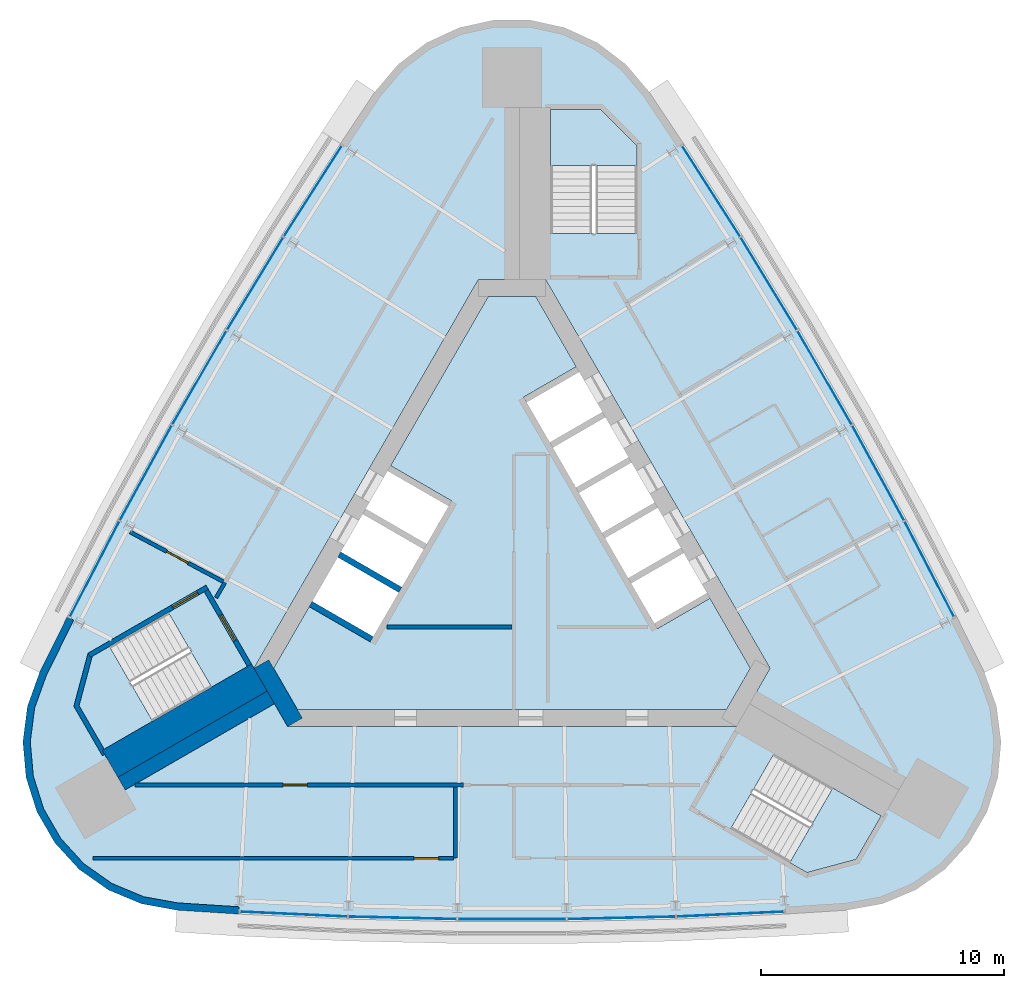
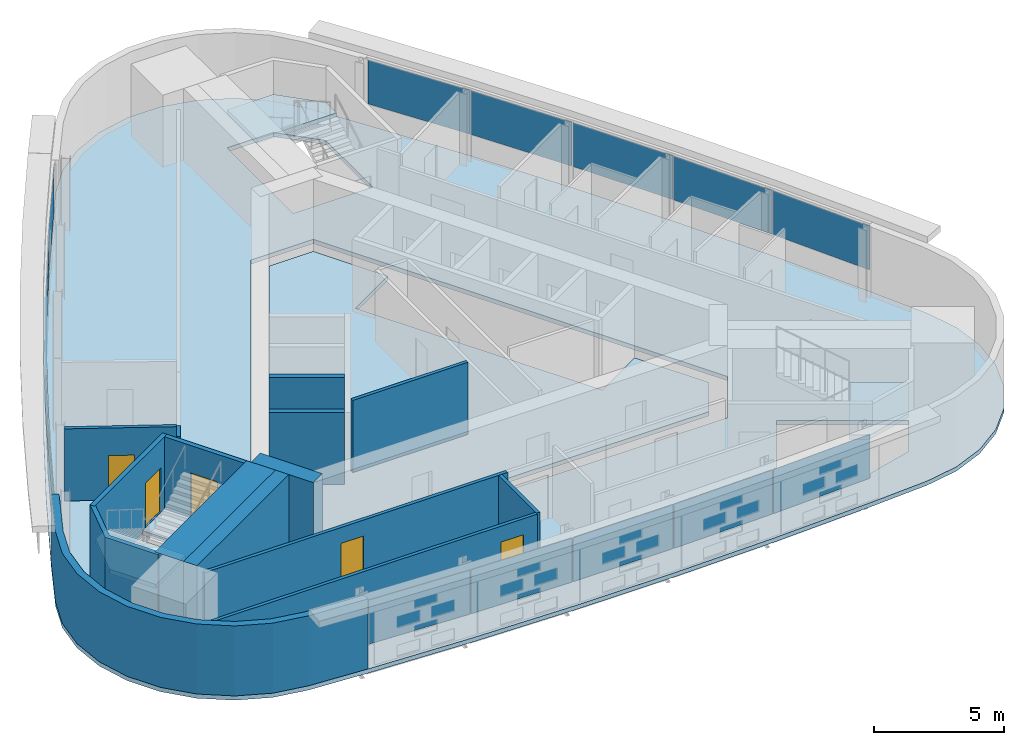
# One storey, part 5 of 10: 15 plates, 15 walls, 5 doors, 5 slabs, 5 openings, 6 elements without a shape of their own.
"""IFC4 building model written with IfcOpenShell, lengths in metres."""

from ifc_helpers import new_model, si_unit, direction, frame, frame_2d, origin, origin_2d, place, context, subcontext, project, spatial, polyline, rectangle, outline, extrude, material, layer, layer_set, type_object, element, fill, aggregate, save


model = new_model("IFC4")

# Units and contexts
model_context = context("Model", 3, precision=1e-05, world=origin(), true_north=direction((0.0, 1.0)))
body_context = subcontext(model_context, "Body", "Model", "MODEL_VIEW")
ifc_project = project(units=[si_unit("LENGTHUNIT", "METRE"), si_unit("AREAUNIT", "SQUARE_METRE"), si_unit("VOLUMEUNIT", "CUBIC_METRE"), si_unit("PLANEANGLEUNIT", "RADIAN"), si_unit("MASSUNIT", "GRAM", prefix="KILO")], contexts=[model_context])

# Site, building, storey
site_placement = place(None, origin())
site = spatial("IfcSite", under=ifc_project, at=site_placement, CompositionType="ELEMENT")
building_placement = place(site_placement, origin())
building = spatial("IfcBuilding", under=site, at=building_placement, Name="Noor Cloister Tower", CompositionType="ELEMENT")
storey_placement = place(building_placement, frame((0.0, 0.0, 243.60009765625)))
storey = spatial("IfcBuildingStorey", under=building, at=storey_placement, Name="L63", CompositionType="ELEMENT", Elevation=243.60009765625)

# Slabs
ifc_material_1 = material(Name="Concrete C40/50", Category="concrete")
ifc_layer_1 = layer(ifc_material_1, 0.199951171875)
ifc_layer_set_1 = layer_set([ifc_layer_1], Name="Core floor slab 200 C40/50")
slab_type_1 = type_object("IfcSlabType", Name="Core floor slab 200 C40/50", PredefinedType="FLOOR", material=ifc_layer_set_1)
slab_1_placement = place(storey_placement, frame((0.0, 0.0, -0.2001953125)))
element("IfcSlab", 1, at=slab_1_placement, inside=storey, type_object=slab_type_1, Name="Core floor L63", PredefinedType="FLOOR", context=body_context, shape_type="SweptSolid", body=[
    extrude(outline(polyline([(2.643798828125, 7.877197265625), (0.9814453125, 10.75634765625), (-0.9814453125, 10.75634765625), (-4.993896484375, 3.806884765625), (-2.482421875, 2.35693359375), (-5.832275390625, -3.4453125), (-8.34375, -1.995361328125), (-9.80615234375, -4.5283203125), (-8.82470703125, -6.228271484375), (8.82470703125, -6.228271484375), (9.80615234375, -4.5283203125), (8.143798828125, -1.64892578125), (5.978759765625, -2.89892578125), (0.478759765625, 6.627197265625), (2.643798828125, 7.877197265625)])), origin(), (0.0, 0.0, 1.0), 0.2001953125),
])
ifc_material_2 = material(Name="Concrete C40/50", Category="concrete")
ifc_layer_2 = layer(ifc_material_2, 0.199951171875)
ifc_layer_set_2 = layer_set([ifc_layer_2], Name="Floor slab 200 C40/50")
slab_type_2 = type_object("IfcSlabType", Name="Floor slab 200 C40/50", PredefinedType="FLOOR", material=ifc_layer_set_2)
slab_2_placement = place(storey_placement, frame((0.0, 0.0, -0.2001953125)))
element("IfcSlab", 2, at=slab_2_placement, inside=storey, type_object=slab_type_2, Name="Floor slab L63", PredefinedType="FLOOR", context=body_context, shape_type="SweptSolid", body=[
    extrude(outline(polyline([(5.643798828125, 19.180419921875), (4.690673828125, 20.306640625), (3.51708984375, 21.200927734375), (2.178466796875, 21.821533203125), (0.73779296875, 22.139404296875), (-0.73779296875, 22.139404296875), (-2.178466796875, 21.821533203125), (-3.51708984375, 21.200927734375), (-4.690673828125, 20.306640625), (-5.643798828125, 19.180419921875), (-7.05712890625, 17.0576171875), (-9.4833984375, 13.267822265625), (-11.822021484375, 9.423583984375), (-14.072021484375, 5.5263671875), (-16.232177734375, 1.578857421875), (-18.301025390625, -2.417236328125), (-19.4326171875, -4.702392578125), (-19.931396484375, -6.091064453125), (-20.119140625, -7.5546875), (-19.9873046875, -9.024169921875), (-19.542236328125, -10.430908203125), (-18.804443359375, -11.70849609375), (-17.808837890625, -12.797607421875), (-16.60205078125, -13.646484375), (-15.24072265625, -14.21533203125), (-13.788818359375, -14.47802734375), (-11.243896484375, -14.640625), (-6.748779296875, -14.846923828125), (-2.25, -14.949951171875), (2.25, -14.949951171875), (6.748779296875, -14.846923828125), (11.243896484375, -14.640625), (13.788818359375, -14.47802734375), (15.24072265625, -14.21533203125), (16.60205078125, -13.646484375), (17.808837890625, -12.797607421875), (18.804443359375, -11.70849609375), (19.542236328125, -10.430908203125), (19.9873046875, -9.024169921875), (20.119140625, -7.5546875), (19.931396484375, -6.091064453125), (19.4326171875, -4.702392578125), (18.301025390625, -2.417236328125), (16.232177734375, 1.578857421875), (14.072021484375, 5.5263671875), (11.822021484375, 9.423583984375), (9.4833984375, 13.267822265625), (7.05712890625, 17.0576171875), (5.643798828125, 19.180419921875)]), holes=[polyline([(8.999755859375, -11.126220703125), (12.131591796875, -12.934326171875), (14.1572265625, -12.3916015625), (15.19091796875, -10.601318359375), (10.774658203125, -8.0517578125), (8.999755859375, -11.126220703125)]), polyline([(-17.81005859375, -6.064697265625), (-16.776611328125, -7.85498046875), (-12.3603515625, -5.305419921875), (-14.13525390625, -2.23095703125), (-16.662841796875, -3.690185546875), (-17.267333984375, -4.039306640625), (-17.81005859375, -6.064697265625)]), polyline([(-10.6142578125, -4.5283203125), (-9.228759765625, -6.92822265625), (9.228759765625, -6.92822265625), (10.6142578125, -4.5283203125), (1.3857421875, 11.456298828125), (-1.3857421875, 11.456298828125), (-10.6142578125, -4.5283203125)]), polyline([(3.65283203125, 18.456298828125), (1.585693359375, 18.456298828125), (1.585693359375, 13.35693359375), (5.135498046875, 13.35693359375), (5.135498046875, 16.9736328125), (3.65283203125, 18.456298828125)])]), origin(), (0.0, 0.0, 1.0), 0.2001953125),
])

# Curtain wall, plates
ifc_material_3 = material(Name="Aluminium 6063-T6 anodised", Category="aluminium")
curtain_wall_type = type_object("IfcCurtainWallType", Name="Ribbon curtain wall, upper tower CW5", PredefinedType="NOTDEFINED", material=ifc_material_3)
curtain_wall_1_placement = place(storey_placement, origin())
curtain_wall_1 = element("IfcCurtainWall", 3, at=curtain_wall_1_placement, inside=storey, type_object=curtain_wall_type, Name="CW5 L63 NW run 1", PredefinedType="NOTDEFINED")
ifc_material_4 = material(Name="Clear laminated glass 2 x 8 mm", Category="glass")
ifc_layer_3 = layer(ifc_material_4, 0.028076171875)
ifc_layer_set_3 = layer_set([ifc_layer_3], Name="Glass panel CW5")
plate_type = type_object("IfcPlateType", Name="Glass panel CW5", PredefinedType="CURTAIN_PANEL", material=ifc_layer_set_3)
plate_1_placement = place(storey_placement, frame((-8.195068359375, 15.0947265625, 1.08984375), z_axis=(0.0, 0.0, 1.0), x_axis=(-0.539170940617, -0.842196352874, 0.0)))
plate_1 = element("IfcPlate", 4, at=plate_1_placement, type_object=plate_type, Name="CW5 glass panel 1", PredefinedType="CURTAIN_PANEL", context=body_context, shape_type="SweptSolid", body=[
    extrude(rectangle(XDim=4.413818359375, YDim=0.028076171875, at=origin_2d()), origin(), (0.0, 0.0, 1.0), 2.070068359375),
])
plate_2_placement = place(storey_placement, frame((-10.5673828125, 11.293701171875, 1.08984375), z_axis=(0.0, 0.0, 1.0), x_axis=(-0.519722064783, -0.854335399816, 0.0)))
plate_2 = element("IfcPlate", 5, at=plate_2_placement, type_object=plate_type, Name="CW5 glass panel 2", PredefinedType="CURTAIN_PANEL", context=body_context, shape_type="SweptSolid", body=[
    extrude(rectangle(XDim=4.447509765625, YDim=0.028076171875, at=origin_2d()), origin(), (0.0, 0.0, 1.0), 2.070068359375),
])
plate_3_placement = place(storey_placement, frame((-12.8603515625, 7.425048828125, 1.08984375), z_axis=(0.0, 0.0, 1.0), x_axis=(-0.5, -0.866025403784, 0.0)))
plate_3 = element("IfcPlate", 6, at=plate_3_placement, type_object=plate_type, Name="CW5 glass panel 3", PredefinedType="CURTAIN_PANEL", context=body_context, shape_type="SweptSolid", body=[
    extrude(rectangle(XDim=4.447509765625, YDim=0.028076171875, at=origin_2d()), origin(), (0.0, 0.0, 1.0), 2.070068359375),
])
plate_4_placement = place(storey_placement, frame((-15.064208984375, 3.504638671875, 1.08984375), z_axis=(0.0, 0.0, 1.0), x_axis=(-0.480015127201, -0.877260210917, 0.0)))
plate_4 = element("IfcPlate", 7, at=plate_4_placement, type_object=plate_type, Name="CW5 glass panel 4", PredefinedType="CURTAIN_PANEL", context=body_context, shape_type="SweptSolid", body=[
    extrude(rectangle(XDim=4.447509765625, YDim=0.028076171875, at=origin_2d()), origin(), (0.0, 0.0, 1.0), 2.070068359375),
])
plate_5_placement = place(storey_placement, frame((-17.169921875, -0.4501953125, 1.08984375), z_axis=(0.0, 0.0, 1.0), x_axis=(-0.459777966255, -0.888033907993, 0.0)))
plate_5 = element("IfcPlate", 8, at=plate_5_placement, type_object=plate_type, Name="CW5 glass panel 5", PredefinedType="CURTAIN_PANEL", context=body_context, shape_type="SweptSolid", body=[
    extrude(rectangle(XDim=4.413818359375, YDim=0.028076171875, at=origin_2d()), origin(), (0.0, 0.0, 1.0), 2.070068359375),
])
aggregate(curtain_wall_1, [plate_1, plate_2, plate_3, plate_4, plate_5])

curtain_wall_2_placement = place(storey_placement, origin())
curtain_wall_2 = element("IfcCurtainWall", 9, at=curtain_wall_2_placement, inside=storey, type_object=curtain_wall_type, Name="CW5 L63 S run 2", PredefinedType="NOTDEFINED")
plate_6_placement = place(storey_placement, frame((-8.974853515625, -14.64453125, 1.08984375), z_axis=(0.0, 0.0, 1.0), x_axis=(0.998948906872, -0.045837555119, 0.0)))
plate_6 = element("IfcPlate", 10, at=plate_6_placement, type_object=plate_type, Name="CW5 glass panel 1", PredefinedType="CURTAIN_PANEL", context=body_context, shape_type="SweptSolid", body=[
    extrude(rectangle(XDim=4.413818359375, YDim=0.028076171875, at=origin_2d()), origin(), (0.0, 0.0, 1.0), 2.070068359375),
])
plate_7_placement = place(storey_placement, frame((-4.4970703125, -14.79833984375, 1.08984375), z_axis=(0.0, 0.0, 1.0), x_axis=(0.999737191984, -0.022924811101, 0.0)))
plate_7 = element("IfcPlate", 11, at=plate_7_placement, type_object=plate_type, Name="CW5 glass panel 2", PredefinedType="CURTAIN_PANEL", context=body_context, shape_type="SweptSolid", body=[
    extrude(rectangle(XDim=4.447509765625, YDim=0.028076171875, at=origin_2d()), origin(), (0.0, 0.0, 1.0), 2.070068359375),
])
plate_8_placement = place(storey_placement, frame((0.0, -14.85009765625, 1.08984375), z_axis=(0.0, 0.0, 1.0), x_axis=(1.0, 0.0, 0.0)))
plate_8 = element("IfcPlate", 12, at=plate_8_placement, type_object=plate_type, Name="CW5 glass panel 3", PredefinedType="CURTAIN_PANEL", context=body_context, shape_type="SweptSolid", body=[
    extrude(rectangle(XDim=4.447509765625, YDim=0.028076171875, at=origin_2d()), origin(), (0.0, 0.0, 1.0), 2.070068359375),
])
plate_9_placement = place(storey_placement, frame((4.4970703125, -14.79833984375, 1.08984375), z_axis=(0.0, 0.0, 1.0), x_axis=(0.999737191984, 0.022924811101, 0.0)))
plate_9 = element("IfcPlate", 13, at=plate_9_placement, type_object=plate_type, Name="CW5 glass panel 4", PredefinedType="CURTAIN_PANEL", context=body_context, shape_type="SweptSolid", body=[
    extrude(rectangle(XDim=4.447509765625, YDim=0.028076171875, at=origin_2d()), origin(), (0.0, 0.0, 1.0), 2.070068359375),
])
plate_10_placement = place(storey_placement, frame((8.974853515625, -14.64453125, 1.08984375), z_axis=(0.0, 0.0, 1.0), x_axis=(0.998948906872, 0.045837555119, 0.0)))
plate_10 = element("IfcPlate", 14, at=plate_10_placement, type_object=plate_type, Name="CW5 glass panel 5", PredefinedType="CURTAIN_PANEL", context=body_context, shape_type="SweptSolid", body=[
    extrude(rectangle(XDim=4.413818359375, YDim=0.028076171875, at=origin_2d()), origin(), (0.0, 0.0, 1.0), 2.070068359375),
])
aggregate(curtain_wall_2, [plate_6, plate_7, plate_8, plate_9, plate_10])

curtain_wall_3_placement = place(storey_placement, origin())
curtain_wall_3 = element("IfcCurtainWall", 15, at=curtain_wall_3_placement, inside=storey, type_object=curtain_wall_type, Name="CW5 L63 NE run 3", PredefinedType="NOTDEFINED")
plate_11_placement = place(storey_placement, frame((17.169921875, -0.4501953125, 1.08984375), z_axis=(0.0, 0.0, 1.0), x_axis=(-0.459777966255, 0.888033907993, 0.0)))
plate_11 = element("IfcPlate", 16, at=plate_11_placement, type_object=plate_type, Name="CW5 glass panel 1", PredefinedType="CURTAIN_PANEL", context=body_context, shape_type="SweptSolid", body=[
    extrude(rectangle(XDim=4.413818359375, YDim=0.028076171875, at=origin_2d()), origin(), (0.0, 0.0, 1.0), 2.070068359375),
])
plate_12_placement = place(storey_placement, frame((15.064208984375, 3.504638671875, 1.08984375), z_axis=(0.0, 0.0, 1.0), x_axis=(-0.480015127201, 0.877260210917, 0.0)))
plate_12 = element("IfcPlate", 17, at=plate_12_placement, type_object=plate_type, Name="CW5 glass panel 2", PredefinedType="CURTAIN_PANEL", context=body_context, shape_type="SweptSolid", body=[
    extrude(rectangle(XDim=4.447509765625, YDim=0.028076171875, at=origin_2d()), origin(), (0.0, 0.0, 1.0), 2.070068359375),
])
plate_13_placement = place(storey_placement, frame((12.8603515625, 7.425048828125, 1.08984375), z_axis=(0.0, 0.0, 1.0), x_axis=(-0.5, 0.866025403784, 0.0)))
plate_13 = element("IfcPlate", 18, at=plate_13_placement, type_object=plate_type, Name="CW5 glass panel 3", PredefinedType="CURTAIN_PANEL", context=body_context, shape_type="SweptSolid", body=[
    extrude(rectangle(XDim=4.447509765625, YDim=0.028076171875, at=origin_2d()), origin(), (0.0, 0.0, 1.0), 2.070068359375),
])
plate_14_placement = place(storey_placement, frame((10.5673828125, 11.293701171875, 1.08984375), z_axis=(0.0, 0.0, 1.0), x_axis=(-0.519722064783, 0.854335399816, 0.0)))
plate_14 = element("IfcPlate", 19, at=plate_14_placement, type_object=plate_type, Name="CW5 glass panel 4", PredefinedType="CURTAIN_PANEL", context=body_context, shape_type="SweptSolid", body=[
    extrude(rectangle(XDim=4.447509765625, YDim=0.028076171875, at=origin_2d()), origin(), (0.0, 0.0, 1.0), 2.070068359375),
])
plate_15_placement = place(storey_placement, frame((8.195068359375, 15.0947265625, 1.08984375), z_axis=(0.0, 0.0, 1.0), x_axis=(-0.539170940617, 0.842196352874, 0.0)))
plate_15 = element("IfcPlate", 20, at=plate_15_placement, type_object=plate_type, Name="CW5 glass panel 5", PredefinedType="CURTAIN_PANEL", context=body_context, shape_type="SweptSolid", body=[
    extrude(rectangle(XDim=4.413818359375, YDim=0.028076171875, at=origin_2d()), origin(), (0.0, 0.0, 1.0), 2.070068359375),
])
aggregate(curtain_wall_3, [plate_11, plate_12, plate_13, plate_14, plate_15])

# Stair, slab
ifc_material_5 = material(Name="Concrete C40/50", Category="concrete")
stair_type = type_object("IfcStairType", Name="Exit stair 22 risers", PredefinedType="HALF_TURN_STAIR", material=ifc_material_5)
stair_1_placement = place(storey_placement, origin())
stair_1 = element("IfcStair", 21, at=stair_1_placement, inside=storey, type_object=stair_type, Name="Exit stair ST1 L63", PredefinedType="HALF_TURN_STAIR")
ifc_material_6 = material(Name="Concrete C40/50", Category="concrete")
ifc_layer_4 = layer(ifc_material_6, 0.199951171875)
ifc_layer_set_4 = layer_set([ifc_layer_4], Name="Stair landing 200 C40/50")
slab_type_3 = type_object("IfcSlabType", Name="Stair landing 200 C40/50", PredefinedType="LANDING", material=ifc_layer_set_4)
slab_3_placement = place(storey_placement, frame((0.0, 0.0, 1.599853515625)))
slab_3 = element("IfcSlab", 22, at=slab_3_placement, type_object=slab_type_3, Name="ST1 landing 1", PredefinedType="LANDING", context=body_context, shape_type="SweptSolid", body=[
    extrude(outline(polyline([(5.135498046875, 16.15576171875), (5.135498046875, 16.9736328125), (3.65283203125, 18.456298828125), (1.585693359375, 18.456298828125), (1.585693359375, 16.15576171875), (5.135498046875, 16.15576171875)])), origin(), (0.0, 0.0, 1.0), 0.199951171875),
])
aggregate(stair_1, [slab_3])

stair_2_placement = place(storey_placement, origin())
stair_2 = element("IfcStair", 23, at=stair_2_placement, inside=storey, type_object=stair_type, Name="Exit stair ST2 L63", PredefinedType="HALF_TURN_STAIR")
slab_4_placement = place(storey_placement, frame((0.0, 0.0, 1.599853515625)))
slab_4 = element("IfcSlab", 24, at=slab_4_placement, type_object=slab_type_3, Name="ST2 landing 1", PredefinedType="LANDING", context=body_context, shape_type="SweptSolid", body=[
    extrude(outline(polyline([(-16.55908203125, -3.63037109375), (-17.267333984375, -4.039306640625), (-17.81005859375, -6.064697265625), (-16.776611328125, -7.85498046875), (-14.7841796875, -6.70458984375), (-16.55908203125, -3.63037109375)])), origin(), (0.0, 0.0, 1.0), 0.199951171875),
])
aggregate(stair_2, [slab_4])

stair_3_placement = place(storey_placement, origin())
stair_3 = element("IfcStair", 25, at=stair_3_placement, inside=storey, type_object=stair_type, Name="Exit stair ST3 L63", PredefinedType="HALF_TURN_STAIR")
slab_5_placement = place(storey_placement, frame((0.0, 0.0, 1.599853515625)))
slab_5 = element("IfcSlab", 26, at=slab_5_placement, type_object=slab_type_3, Name="ST3 landing 1", PredefinedType="LANDING", context=body_context, shape_type="SweptSolid", body=[
    extrude(outline(polyline([(11.423583984375, -12.525390625), (12.131591796875, -12.934326171875), (14.1572265625, -12.3916015625), (15.19091796875, -10.601318359375), (13.198486328125, -9.451171875), (11.423583984375, -12.525390625)])), origin(), (0.0, 0.0, 1.0), 0.199951171875),
])
aggregate(stair_3, [slab_5])

# Walls
ifc_material_7 = material(Name="Concrete C60/75", Category="concrete")
ifc_layer_5 = layer(ifc_material_7, 0.60009765625)
ifc_layer_set_5 = layer_set([ifc_layer_5], Name="Buttress wall 600 C60/75")
wall_type_1 = type_object("IfcWallType", Name="Buttress wall 600 C60/75", PredefinedType="SHEAR", material=ifc_layer_set_5)
wall_1_placement = place(storey_placement, frame((-9.921630859375, -5.728271484375, -0.2001953125), z_axis=(0.0, 0.0, 1.0), x_axis=(-0.866029688112, -0.499992579254, 0.0)))
element("IfcWall", 27, at=wall_1_placement, inside=storey, type_object=wall_type_1, Name="Buttress wall SW L63", PredefinedType="SHEAR", context=body_context, shape_type="SweptSolid", body=[
    extrude(rectangle(XDim=7.09326171875, YDim=0.60009765625, at=frame_2d((3.546630859375, 0.0))), origin(), (0.0, 0.0, 1.0), 3.60009765625),
])
ifc_material_8 = material(Name="Concrete C30/37", Category="concrete")
ifc_layer_6 = layer(ifc_material_8, 0.14990234375)
ifc_layer_set_6 = layer_set([ifc_layer_6], Name="Core partition 150 C30/37")
wall_type_2 = type_object("IfcWallType", Name="Core partition 150 C30/37", PredefinedType="PARTITIONING", material=ifc_layer_set_6)
wall_2_placement = place(storey_placement, frame((-5.142333984375, -2.828125, 0.0), z_axis=(0.0, 0.0, 1.0), x_axis=(1.0, 0.0, 0.0)))
element("IfcWall", 28, at=wall_2_placement, inside=storey, type_object=wall_type_2, Name="Core room partition L63 1", PredefinedType="PARTITIONING", context=body_context, shape_type="SweptSolid", body=[
    extrude(rectangle(XDim=5.138671875, YDim=0.14990234375, at=frame_2d((2.5693359375, 0.0))), origin(), (0.0, 0.0, 1.0), 3.39990234375),
])
ifc_material_9 = material(Name="Concrete C60/75", Category="concrete")
ifc_layer_7 = layer(ifc_material_9, 0.699951171875)
ifc_layer_set_7 = layer_set([ifc_layer_7], Name="Core wall 700 C60/75")
wall_type_3 = type_object("IfcWallType", Name="Core wall 700 C60/75", PredefinedType="SHEAR", material=ifc_layer_set_7)
wall_3_placement = place(storey_placement, frame((-10.311279296875, -4.353271484375, -0.2001953125), z_axis=(0.0, 0.0, 1.0), x_axis=(0.500042739161, -0.866000726912, 0.0)))
element("IfcWall", 29, at=wall_3_placement, inside=storey, type_object=wall_type_3, Name="Core wall L63 6", PredefinedType="SHEAR", context=body_context, shape_type="SweptSolid", body=[
    extrude(rectangle(XDim=2.771240234375, YDim=0.699951171875, at=frame_2d((1.3857421875, 0.0))), origin(), (0.0, 0.0, 1.0), 3.60009765625),
])
ifc_material_10 = material(Name="Fire-rated gypsum board partition on steel studs, 150 mm", Category="steel")
ifc_layer_8 = layer(ifc_material_10, 0.14990234375)
ifc_layer_set_8 = layer_set([ifc_layer_8], Name="Fire lobby wall 150")
wall_type_4 = type_object("IfcWallType", Name="Fire lobby wall 150", PredefinedType="PARTITIONING", material=ifc_layer_set_8)
wall_4_placement = place(storey_placement, frame((-11.811279296875, -1.001220703125, 0.0), z_axis=(0.0, 0.0, 1.0), x_axis=(-0.499839240638, -0.866118198353, 0.0)))
element("IfcWall", 30, at=wall_4_placement, inside=storey, type_object=wall_type_4, Name="Wall L63-W22", PredefinedType="PARTITIONING", context=body_context, shape_type="SweptSolid", body=[
    extrude(rectangle(XDim=0.723876953125, YDim=0.14990234375, at=frame_2d((0.36181640625, 0.0))), origin(), (0.0, 0.0, 1.0), 3.39990234375),
])

# Wall, opening, door
ifc_material_11 = material(Name="Gypsum board partition on steel studs, 150 mm", Category="steel")
ifc_layer_9 = layer(ifc_material_11, 0.14990234375)
ifc_layer_set_9 = layer_set([ifc_layer_9], Name="Flat wall 150")
wall_type_5 = type_object("IfcWallType", Name="Flat wall 150", PredefinedType="PARTITIONING", material=ifc_layer_set_9)
wall_5_placement = place(storey_placement, frame((-15.514404296875, -9.328125, 0.0), z_axis=(0.0, 0.0, 1.0), x_axis=(1.0, 0.0, 0.0)))
wall_5 = element("IfcWall", 31, at=wall_5_placement, inside=storey, type_object=wall_type_5, Name="Wall L63-W14", PredefinedType="PARTITIONING", context=body_context, shape_type="SweptSolid", body=[
    extrude(rectangle(XDim=13.52880859375, YDim=0.14990234375, at=frame_2d((6.764404296875, 0.0))), origin(), (0.0, 0.0, 1.0), 2.851806640625),
])
opening_1_placement = place(wall_5_placement, frame((6.09619140625, 0.0, 0.0)))
opening_1 = element("IfcOpeningElement", 32, at=opening_1_placement, cuts=wall_5, Name="Opening L63-011", PredefinedType="OPENING", context=body_context, shape_type="SweptSolid", body=[
    extrude(rectangle(XDim=1.0, YDim=2.10009765625, at=frame_2d((0.5, 1.050048828125))), frame((0.0, 0.0849609375, 0.0), z_axis=(0.0, -1.0, 0.0), x_axis=(1.0, 0.0, 0.0)), (0.0, 0.0, 1.0), 0.169921875),
])
ifc_material_12 = material(Name="Timber door leaf with steel frame", Category="steel")
door_type_1 = type_object("IfcDoorType", Name="Interior door 1000 FD60", OperationType="NOTDEFINED", PredefinedType="DOOR", material=ifc_material_12)
door_1_placement = place(opening_1_placement, origin())
door_1 = element("IfcDoor", 33, at=door_1_placement, inside=storey, type_object=door_type_1, Name="Door L63-011", OperationType="SINGLE_SWING_LEFT", OverallHeight=2.10009765625, OverallWidth=1.0, PredefinedType="DOOR", context=body_context, shape_type="SweptSolid", body=[
    extrude(rectangle(XDim=1.0, YDim=2.10009765625, at=frame_2d((0.5, 1.050048828125))), frame((0.0, 0.02490234375, 0.0), z_axis=(0.0, -1.0, 0.0), x_axis=(1.0, 0.0, 0.0)), (0.0, 0.0, 1.0), 0.050048828125),
])
fill(opening_1, door_1)

# Wall
wall_6_placement = place(storey_placement, frame((-2.322021484375, -9.4033203125, 0.0), z_axis=(0.0, 0.0, 1.0), x_axis=(0.0, -1.0, 0.0)))
element("IfcWall", 34, at=wall_6_placement, inside=storey, type_object=wall_type_5, Name="Wall L63-W17", PredefinedType="PARTITIONING", context=body_context, shape_type="SweptSolid", body=[
    extrude(rectangle(XDim=2.9365234375, YDim=0.14990234375, at=frame_2d((1.46826171875, 0.0))), origin(), (0.0, 0.0, 1.0), 2.851806640625),
])

# Wall, opening, door
wall_7_placement = place(storey_placement, frame((-17.24267578125, -12.33984375, 0.0), z_axis=(0.0, 0.0, 1.0), x_axis=(1.0, 0.0, 0.0)))
wall_7 = element("IfcWall", 35, at=wall_7_placement, inside=storey, type_object=wall_type_5, Name="Wall L63-W19", PredefinedType="PARTITIONING", context=body_context, shape_type="SweptSolid", body=[
    extrude(rectangle(XDim=14.845703125, YDim=0.14990234375, at=frame_2d((7.4228515625, 0.0))), origin(), (0.0, 0.0, 1.0), 2.851806640625),
])
opening_2_placement = place(wall_7_placement, frame((13.220703125, 0.0, 0.0)))
opening_2 = element("IfcOpeningElement", 36, at=opening_2_placement, cuts=wall_7, Name="Opening L63-010", PredefinedType="OPENING", context=body_context, shape_type="SweptSolid", body=[
    extrude(rectangle(XDim=1.0, YDim=2.10009765625, at=frame_2d((0.5, 1.050048828125))), frame((0.0, 0.0849609375, 0.0), z_axis=(0.0, -1.0, 0.0), x_axis=(1.0, 0.0, 0.0)), (0.0, 0.0, 1.0), 0.169921875),
])
door_2_placement = place(opening_2_placement, origin())
door_2 = element("IfcDoor", 37, at=door_2_placement, inside=storey, type_object=door_type_1, Name="Door L63-010", OperationType="SINGLE_SWING_RIGHT", OverallHeight=2.10009765625, OverallWidth=1.0, PredefinedType="DOOR", context=body_context, shape_type="SweptSolid", body=[
    extrude(rectangle(XDim=1.0, YDim=2.10009765625, at=frame_2d((0.5, 1.050048828125))), frame((0.0, 0.02490234375, 0.0), z_axis=(0.0, -1.0, 0.0), x_axis=(1.0, 0.0, 0.0)), (0.0, 0.0, 1.0), 0.050048828125),
])
fill(opening_2, door_2)

wall_8_placement = place(storey_placement, frame((-15.7060546875, 1.072265625, 0.0), z_axis=(0.0, 0.0, 1.0), x_axis=(0.882697050639, -0.469942461152, 0.0)))
wall_8 = element("IfcWall", 38, at=wall_8_placement, inside=storey, type_object=wall_type_5, Name="Wall L63-W24", PredefinedType="PARTITIONING", context=body_context, shape_type="SweptSolid", body=[
    extrude(rectangle(XDim=4.33740234375, YDim=0.14990234375, at=frame_2d((2.168701171875, 0.0))), origin(), (0.0, 0.0, 1.0), 3.39990234375),
])
opening_3_placement = place(wall_8_placement, frame((1.706298828125, 0.0, 0.0)))
opening_3 = element("IfcOpeningElement", 39, at=opening_3_placement, cuts=wall_8, Name="Opening L63-016", PredefinedType="OPENING", context=body_context, shape_type="SweptSolid", body=[
    extrude(rectangle(XDim=1.0, YDim=2.10009765625, at=frame_2d((0.5, 1.050048828125))), frame((0.0, 0.0849609375, 0.0), z_axis=(0.0, -1.0, 0.0), x_axis=(1.0, 0.0, 0.0)), (0.0, 0.0, 1.0), 0.169921875),
])
door_3_placement = place(opening_3_placement, origin())
door_3 = element("IfcDoor", 40, at=door_3_placement, inside=storey, type_object=door_type_1, Name="Door L63-016", OperationType="SINGLE_SWING_RIGHT", OverallHeight=2.10009765625, OverallWidth=1.0, PredefinedType="DOOR", context=body_context, shape_type="SweptSolid", body=[
    extrude(rectangle(XDim=1.0, YDim=2.10009765625, at=frame_2d((0.5, 1.050048828125))), frame((0.0, 0.02490234375, 0.0), z_axis=(0.0, -1.0, 0.0), x_axis=(1.0, 0.0, 0.0)), (0.0, 0.0, 1.0), 0.050048828125),
])
fill(opening_3, door_3)

# Walls
ifc_material_13 = material(Name="Limestone", Category="masonry")
ifc_layer_10 = layer(ifc_material_13, 0.300048828125)
ifc_layer_set_10 = layer_set([ifc_layer_10], Name="Limestone cladding 300")
wall_type_6 = type_object("IfcWallType", Name="Limestone cladding 300", PredefinedType="NOTDEFINED", material=ifc_layer_set_10)
wall_9_placement = place(storey_placement, origin())
element("IfcWall", 41, at=wall_9_placement, inside=storey, type_object=wall_type_6, Name="Limestone pier cladding L63 1.1", PredefinedType="NOTDEFINED", context=body_context, shape_type="SweptSolid", body=[
    extrude(outline(polyline([(-18.301025390625, -2.417236328125), (-19.4326171875, -4.702392578125), (-19.931396484375, -6.091064453125), (-20.119140625, -7.5546875), (-19.9873046875, -9.024169921875), (-19.542236328125, -10.430908203125), (-18.804443359375, -11.70849609375), (-17.808837890625, -12.797607421875), (-16.60205078125, -13.646484375), (-15.24072265625, -14.21533203125), (-13.788818359375, -14.47802734375), (-11.243896484375, -14.640625), (-11.224609375, -14.341064453125), (-13.75244140625, -14.1796875), (-15.1552734375, -13.926025390625), (-16.4560546875, -13.38232421875), (-17.609375, -12.571044921875), (-18.56103515625, -11.5302734375), (-19.26611328125, -10.30908203125), (-19.69140625, -8.96484375), (-19.8173828125, -7.560302734375), (-19.637939453125, -6.161865234375), (-19.15625, -4.820068359375), (-18.0322265625, -2.55029296875), (-18.301025390625, -2.417236328125)])), origin(), (0.0, 0.0, 1.0), 3.2998046875),
])
ifc_material_14 = material(Name="Concrete C60/75", Category="concrete")
ifc_layer_11 = layer(ifc_material_14, 0.25)
ifc_layer_set_11 = layer_set([ifc_layer_11], Name="Shaft wall 250 C60/75")
wall_type_7 = type_object("IfcWallType", Name="Shaft wall 250 C60/75", PredefinedType="PARTITIONING", material=ifc_layer_set_11)
for number, where, z_axis, x_axis, name in (
    (42, (-7.106201171875, 0.14794921875, -0.2001953125), (0.0, 0.0, 1.0), (0.866032775405, -0.499987231761, 0.0), "Lift shaft wall L63 NW 5"),
    (43, (-8.28125, -1.88720703125, -0.2001953125), (0.0, 0.0, 1.0), (0.866032775405, -0.499987231761, 0.0), "Lift shaft wall L63 NW 6"),
):
    element("IfcWall", number, at=place(storey_placement, frame(where, z_axis=z_axis, x_axis=x_axis)), inside=storey, type_object=wall_type_7, Name=name, PredefinedType="PARTITIONING", context=body_context, shape_type="SweptSolid", body=[
        extrude(rectangle(XDim=2.89990234375, YDim=0.25, at=frame_2d((1.449951171875, 0.0))), origin(), (0.0, 0.0, 1.0), 3.60009765625),
    ])
ifc_material_15 = material(Name="Concrete C60/75", Category="concrete")
ifc_layer_12 = layer(ifc_material_15, 1.285888671875)
ifc_layer_set_12 = layer_set([ifc_layer_12], Name="Stair enclosure wall 1286 C60/75")
wall_type_8 = type_object("IfcWallType", Name="Stair enclosure wall 1286 C60/75", PredefinedType="SHEAR", material=ifc_layer_set_12)
wall_10_placement = place(storey_placement, frame((-10.392822265625, -4.91162109375, -0.2001953125), z_axis=(0.0, 0.0, 1.0), x_axis=(-0.866023389271, -0.500003489223, 0.0)))
element("IfcWall", 44, at=wall_10_placement, inside=storey, type_object=wall_type_8, Name="Stair enclosure wall ST2 L63 riser side", PredefinedType="SHEAR", context=body_context, shape_type="SweptSolid", body=[
    extrude(rectangle(XDim=7.09375, YDim=1.28564453125, at=frame_2d((3.546875, 0.0))), origin(), (0.0, 0.0, 1.0), 3.60009765625),
])

# Wall, opening, door
ifc_material_16 = material(Name="Concrete C60/75", Category="concrete")
ifc_layer_13 = layer(ifc_material_16, 0.199951171875)
ifc_layer_set_13 = layer_set([ifc_layer_13], Name="Stair enclosure wall 200 C60/75")
wall_type_9 = type_object("IfcWallType", Name="Stair enclosure wall 200 C60/75", PredefinedType="SHEAR", material=ifc_layer_set_13)
wall_11_placement = place(storey_placement, frame((-12.575927734375, -1.33056640625, -0.2001953125), z_axis=(0.0, 0.0, 1.0), x_axis=(0.499970499736, -0.8660424351, 0.0)))
wall_11 = element("IfcWall", 45, at=wall_11_placement, inside=storey, type_object=wall_type_9, Name="Stair enclosure wall ST2 L63 near end", PredefinedType="SHEAR", context=body_context, shape_type="SweptSolid", body=[
    extrude(rectangle(XDim=3.550048828125, YDim=0.199951171875, at=frame_2d((1.77490234375, 0.0))), origin(), (0.0, 0.0, 1.0), 3.60009765625),
])
opening_4_placement = place(wall_11_placement, frame((1.175048828125, 0.0, 0.199951171875)))
opening_4 = element("IfcOpeningElement", 46, at=opening_4_placement, cuts=wall_11, Name="Opening L63-ST2L", PredefinedType="OPENING", context=body_context, shape_type="SweptSolid", body=[
    extrude(rectangle(XDim=1.199951171875, YDim=2.10009765625, at=frame_2d((0.60009765625, 1.050048828125))), frame((0.0, 0.10986328125, 0.0), z_axis=(0.0, -1.0, 0.0), x_axis=(1.0, 0.0, 0.0)), (0.0, 0.0, 1.0), 0.219970703125),
])
ifc_material_17 = material(Name="Steel", Category="steel")
door_type_2 = type_object("IfcDoorType", Name="Stair door 1200 x 2100 FD120", OperationType="SINGLE_SWING_LEFT", PredefinedType="DOOR", material=ifc_material_17)
door_4_placement = place(opening_4_placement, origin())
door_4 = element("IfcDoor", 47, at=door_4_placement, inside=storey, type_object=door_type_2, Name="Stair door ST2 L63", OperationType="SINGLE_SWING_RIGHT", OverallHeight=2.10009765625, OverallWidth=1.199951171875, PredefinedType="DOOR", context=body_context, shape_type="SweptSolid", body=[
    extrude(rectangle(XDim=1.199951171875, YDim=2.10009765625, at=frame_2d((0.60009765625, 1.050048828125))), frame((0.0, 0.02490234375, 0.0), z_axis=(0.0, -1.0, 0.0), x_axis=(1.0, 0.0, 0.0)), (0.0, 0.0, 1.0), 0.050048828125),
])
fill(opening_4, door_4)

wall_12_placement = place(storey_placement, frame((-12.539306640625, -1.194091796875, -0.2001953125), z_axis=(0.0, 0.0, 1.0), x_axis=(-0.866045472092, -0.499965239061, 0.0)))
wall_12 = element("IfcWall", 48, at=wall_12_placement, inside=storey, type_object=wall_type_9, Name="Stair enclosure wall ST2 L63 outer side", PredefinedType="SHEAR", context=body_context, shape_type="SweptSolid", body=[
    extrude(rectangle(XDim=5.60009765625, YDim=0.199951171875, at=frame_2d((2.800048828125, 0.0))), origin(), (0.0, 0.0, 1.0), 3.60009765625),
])
opening_5_placement = place(wall_12_placement, frame((0.449951171875, 0.0, 0.199951171875)))
opening_5 = element("IfcOpeningElement", 49, at=opening_5_placement, cuts=wall_12, Name="Opening L63-ST2C", PredefinedType="OPENING", context=body_context, shape_type="SweptSolid", body=[
    extrude(rectangle(XDim=1.199951171875, YDim=2.10009765625, at=frame_2d((0.60009765625, 1.050048828125))), frame((0.0, 0.10986328125, 0.0), z_axis=(0.0, -1.0, 0.0), x_axis=(1.0, 0.0, 0.0)), (0.0, 0.0, 1.0), 0.219970703125),
])
door_5_placement = place(opening_5_placement, origin())
door_5 = element("IfcDoor", 50, at=door_5_placement, inside=storey, type_object=door_type_2, Name="Stair door ST2 L63", OperationType="SINGLE_SWING_LEFT", OverallHeight=2.10009765625, OverallWidth=1.199951171875, PredefinedType="DOOR", context=body_context, shape_type="SweptSolid", body=[
    extrude(rectangle(XDim=1.199951171875, YDim=2.10009765625, at=frame_2d((0.60009765625, 1.050048828125))), frame((0.0, 0.02490234375, 0.0), z_axis=(0.0, -1.0, 0.0), x_axis=(1.0, 0.0, 0.0)), (0.0, 0.0, 1.0), 0.050048828125),
])
fill(opening_5, door_5)

# Wall
ifc_material_18 = material(Name="Concrete C60/75", Category="concrete")
wall_type_10 = type_object("IfcWallType", Name="Stair far end wall C60/75", PredefinedType="SHEAR", material=ifc_material_18)
wall_13_placement = place(storey_placement, frame((0.0, 0.0, -0.2001953125)))
element("IfcWall", 51, at=wall_13_placement, inside=storey, type_object=wall_type_10, Name="Stair enclosure wall ST2 L63 far end", PredefinedType="SHEAR", context=body_context, shape_type="SweptSolid", body=[
    extrude(outline(polyline([(-17.439208984375, -3.907470703125), (-18.024658203125, -6.093017578125), (-16.849609375, -8.128173828125), (-16.757568359375, -8.074951171875), (-16.857666015625, -7.90185546875), (-16.857666015625, -7.90185546875), (-16.857666015625, -7.90185546875), (-16.857666015625, -7.90185546875), (-16.857666015625, -7.90185546875), (-16.857666015625, -7.90185546875), (-16.857666015625, -7.90185546875), (-16.857666015625, -7.90185546875), (-16.857666015625, -7.90185546875), (-16.857666015625, -7.90185546875), (-16.857666015625, -7.90185546875), (-16.857666015625, -7.90185546875), (-16.857666015625, -7.90185546875), (-16.857666015625, -7.90185546875), (-16.857666015625, -7.90185546875), (-16.857666015625, -7.90185546875), (-16.857666015625, -7.90185546875), (-16.776611328125, -7.85498046875), (-17.81005859375, -6.064697265625), (-17.267333984375, -4.039306640625), (-17.339111328125, -4.08056640625), (-17.339111328125, -4.08056640625), (-17.339111328125, -4.08056640625), (-17.339111328125, -4.08056640625), (-17.339111328125, -4.08056640625), (-17.339111328125, -4.08056640625), (-17.339111328125, -4.08056640625), (-17.339111328125, -4.08056640625), (-17.339111328125, -4.08056640625), (-17.339111328125, -4.08056640625), (-17.339111328125, -4.08056640625), (-17.339111328125, -4.08056640625), (-17.339111328125, -4.08056640625), (-17.339111328125, -4.08056640625), (-17.339111328125, -4.08056640625), (-17.339111328125, -4.08056640625), (-17.339111328125, -4.08056640625), (-17.439208984375, -3.907470703125)])), origin(), (0.0, 0.0, 1.0), 3.60009765625),
])

save(model, "model.ifc")
